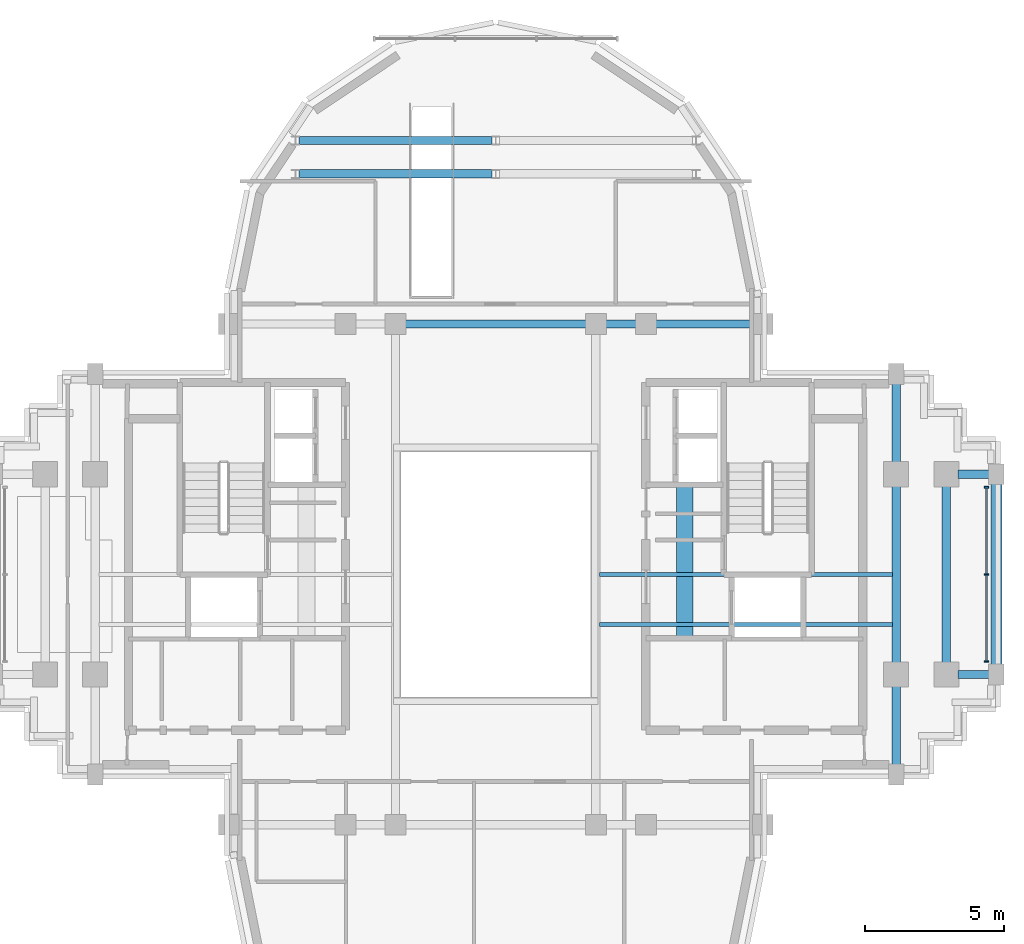
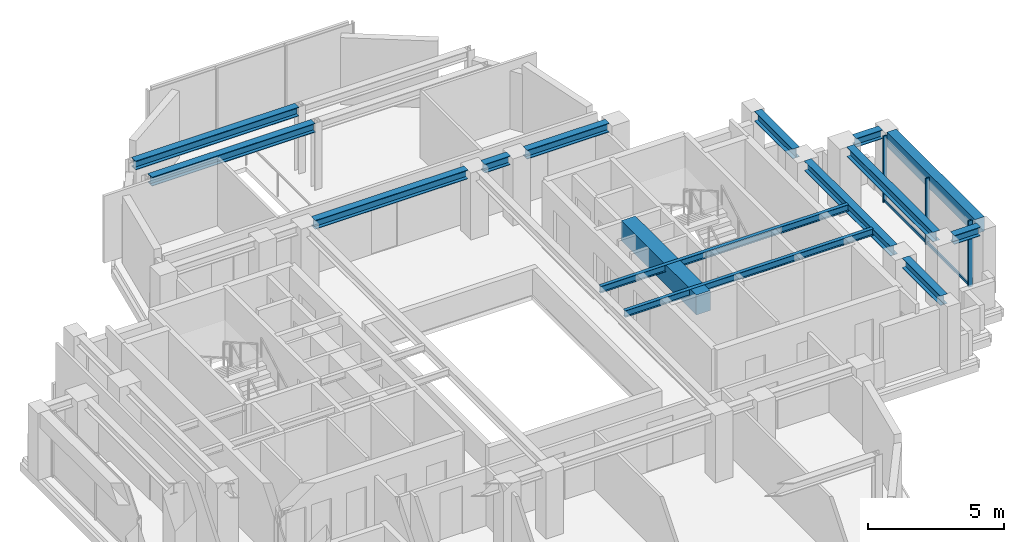
# One storey, part 5 of 12: 15 beams, 5 members, 1 element without a shape of its own.
"""IFC4 building model written with IfcOpenShell, lengths in metres."""

from ifc_helpers import new_model, si_unit, direction, frame, origin, origin_2d, place, context, subcontext, project, spatial, rectangle, i_section, extrude, source, transform, mapped, material, material_profile, profile_set, type_object, element, aggregate, save


model = new_model("IFC4")

# Units and contexts
model_context = context("Model", 3, precision=1e-05, world=origin(), true_north=direction((0.0, 1.0)))
body_context = subcontext(model_context, "Body", "Model", "MODEL_VIEW")
ifc_project = project(units=[si_unit("LENGTHUNIT", "METRE"), si_unit("AREAUNIT", "SQUARE_METRE"), si_unit("VOLUMEUNIT", "CUBIC_METRE"), si_unit("PLANEANGLEUNIT", "RADIAN"), si_unit("MASSUNIT", "GRAM", prefix="KILO")], contexts=[model_context])

# Site, building, storey
site_placement = place(None, origin())
site = spatial("IfcSite", under=ifc_project, at=site_placement, CompositionType="ELEMENT")
building_placement = place(site_placement, origin())
building = spatial("IfcBuilding", under=site, at=building_placement, Name="Keilestroom Media Tower", CompositionType="ELEMENT")
storey_placement = place(building_placement, frame((0.0, 0.0, 223.60009765625)))
storey = spatial("IfcBuildingStorey", under=building, at=storey_placement, Name="L61", CompositionType="ELEMENT", Elevation=223.60009765625)

# Beams
ifc_material_1 = material(Name="Concrete C70/85", Category="concrete")
ifc_material_profile_1 = material_profile(ifc_material_1, rectangle(XDim=0.60009765625, YDim=0.89990234375, at=origin_2d()), Name="RC 600x900")
ifc_profile_set_1 = profile_set([ifc_material_profile_1], Name="Concrete C70/85")
beam_type_1 = type_object("IfcBeamType", Name="Core-Coupling-Lintel-Beam-RC-600x900", PredefinedType="LINTEL", material=ifc_profile_set_1)
shared_shape_1 = source(origin(), body_context, "Body", "SweptSolid", [
    extrude(rectangle(XDim=0.60009765625, YDim=0.89990234375, at=origin_2d()), origin(), (0.0, 0.0, 1.0), 5.52001953125),
])
beam_1_placement = place(storey_placement, frame((6.800048828125, -2.300048828125, 2.559814453125), z_axis=(0.0, 1.0, 0.0), x_axis=(-1.0, 0.0, 0.0)))
element("IfcBeam", 1, at=beam_1_placement, inside=storey, type_object=beam_type_1, Name="L61 Beam CLB-1 CLB-L61-E", PredefinedType="LINTEL", context=body_context, shape_type="MappedRepresentation", body=[
    mapped(shared_shape_1, transform((0.0, 0.0, 0.0), x_axis=(1.0, 0.0, 0.0), y_axis=(0.0, 1.0, 0.0), z_axis=(0.0, 0.0, 1.0), scale=1.0)),
])
ifc_material_2 = material(Name="Steel S355", Category="steel")
ifc_material_profile_2 = material_profile(ifc_material_2, i_section(OverallWidth=0.300048828125, OverallDepth=0.39990234375, WebThickness=0.011474609375, FlangeThickness=0.02392578125, at=origin_2d()), Name="HEB 400")
ifc_profile_set_2 = profile_set([ifc_material_profile_2], Name="Steel S355")
beam_type_2 = type_object("IfcBeamType", Name="Primary-Structural-Girder-HEB-400", PredefinedType="BEAM", material=ifc_profile_set_2)
shared_shape_2 = source(origin(), body_context, "Body", "SweptSolid", [
    extrude(i_section(OverallWidth=0.300048828125, OverallDepth=0.39990234375, WebThickness=0.011474609375, FlangeThickness=0.02392578125, at=origin_2d()), origin(), (0.0, 0.0, 1.0), 6.940185546875),
])
for number, where, z_axis, x_axis, name in (
    (2, (-7.070068359375, 14.39990234375, 2.809814453125), (1.0, 0.0, 0.0), (0.0, 1.0, 0.0), "L61 Beam BG-8 BM-L61-EW-021"),
    (3, (-7.070068359375, 15.60009765625, 2.809814453125), (1.0, 0.0, 0.0), (0.0, 1.0, 0.0), "L61 Beam BG-8 BM-L61-EW-023"),
):
    element("IfcBeam", number, at=place(storey_placement, frame(where, z_axis=z_axis, x_axis=x_axis)), inside=storey, type_object=beam_type_2, Name=name, PredefinedType="BEAM", context=body_context, shape_type="MappedRepresentation", body=[
        mapped(shared_shape_2, transform((0.0, 0.0, 0.0), x_axis=(1.0, 0.0, 0.0), y_axis=(0.0, 1.0, 0.0), z_axis=(0.0, 0.0, 1.0), scale=1.0)),
    ])
shared_shape_3 = source(origin(), body_context, "Body", "SweptSolid", [
    extrude(i_section(OverallWidth=0.300048828125, OverallDepth=0.39990234375, WebThickness=0.011474609375, FlangeThickness=0.02392578125, at=origin_2d()), origin(), (0.0, 0.0, 1.0), 3.490234375),
])
beam_2_placement = place(storey_placement, frame((5.7548828125, 9.0, 2.809814453125), z_axis=(1.0, 0.0, 0.0), x_axis=(0.0, 1.0, 0.0)))
element("IfcBeam", 4, at=beam_2_placement, inside=storey, type_object=beam_type_2, Name="L61 Beam BG-8 BM-L61-EW-020", PredefinedType="BEAM", context=body_context, shape_type="MappedRepresentation", body=[
    mapped(shared_shape_3, transform((0.0, 0.0, 0.0), x_axis=(1.0, 0.0, 0.0), y_axis=(0.0, 1.0, 0.0), z_axis=(0.0, 0.0, 1.0), scale=1.0)),
])
shared_shape_4 = source(origin(), body_context, "Body", "SweptSolid", [
    extrude(i_section(OverallWidth=0.300048828125, OverallDepth=0.39990234375, WebThickness=0.011474609375, FlangeThickness=0.02392578125, at=origin_2d()), origin(), (0.0, 0.0, 1.0), 1.08984375),
])
beam_3_placement = place(storey_placement, frame((3.955078125, 9.0, 2.809814453125), z_axis=(1.0, 0.0, 0.0), x_axis=(0.0, 1.0, 0.0)))
element("IfcBeam", 5, at=beam_3_placement, inside=storey, type_object=beam_type_2, Name="L61 Beam BG-8 BM-L61-EW-019", PredefinedType="BEAM", context=body_context, shape_type="MappedRepresentation", body=[
    mapped(shared_shape_4, transform((0.0, 0.0, 0.0), x_axis=(1.0, 0.0, 0.0), y_axis=(0.0, 1.0, 0.0), z_axis=(0.0, 0.0, 1.0), scale=1.0)),
])
shared_shape_5 = source(origin(), body_context, "Body", "SweptSolid", [
    extrude(i_section(OverallWidth=0.300048828125, OverallDepth=0.39990234375, WebThickness=0.011474609375, FlangeThickness=0.02392578125, at=origin_2d()), origin(), (0.0, 0.0, 1.0), 6.490234375),
])
beam_4_placement = place(storey_placement, frame((-3.2451171875, 9.0, 2.809814453125), z_axis=(1.0, 0.0, 0.0), x_axis=(0.0, 1.0, 0.0)))
element("IfcBeam", 6, at=beam_4_placement, inside=storey, type_object=beam_type_2, Name="L61 Beam BG-8 BM-L61-EW-018", PredefinedType="BEAM", context=body_context, shape_type="MappedRepresentation", body=[
    mapped(shared_shape_5, transform((0.0, 0.0, 0.0), x_axis=(1.0, 0.0, 0.0), y_axis=(0.0, 1.0, 0.0), z_axis=(0.0, 0.0, 1.0), scale=1.0)),
])
shared_shape_6 = source(origin(), body_context, "Body", "SweptSolid", [
    extrude(i_section(OverallWidth=0.300048828125, OverallDepth=0.39990234375, WebThickness=0.011474609375, FlangeThickness=0.02392578125, at=origin_2d()), origin(), (0.0, 0.0, 1.0), 1.115234375),
])
for number, where, z_axis, x_axis, name in (
    (7, (16.6298828125, -3.60009765625, 2.809814453125), (1.0, 0.0, 0.0), (0.0, 1.0, 0.0), "L61 Beam BG-8 BM-L61-EW-011"),
    (8, (16.6298828125, 3.60009765625, 2.809814453125), (1.0, 0.0, 0.0), (0.0, 1.0, 0.0), "L61 Beam BG-8 BM-L61-EW-015"),
):
    element("IfcBeam", number, at=place(storey_placement, frame(where, z_axis=z_axis, x_axis=x_axis)), inside=storey, type_object=beam_type_2, Name=name, PredefinedType="BEAM", context=body_context, shape_type="MappedRepresentation", body=[
        mapped(shared_shape_6, transform((0.0, 0.0, 0.0), x_axis=(1.0, 0.0, 0.0), y_axis=(0.0, 1.0, 0.0), z_axis=(0.0, 0.0, 1.0), scale=1.0)),
    ])
ifc_material_3 = material(Name="Precast concrete C40/50", Category="concrete")
ifc_material_profile_3 = material_profile(ifc_material_3, rectangle(XDim=0.39990234375, YDim=0.64990234375, at=origin_2d()), Name="PC 400x650")
ifc_profile_set_3 = profile_set([ifc_material_profile_3], Name="Precast concrete C40/50")
beam_type_3 = type_object("IfcBeamType", Name="Perimeter-Spandrel-Beam-PC-400x650", PredefinedType="SPANDREL", material=ifc_profile_set_3)
shared_shape_7 = source(origin(), body_context, "Body", "SweptSolid", [
    extrude(rectangle(XDim=0.39990234375, YDim=0.64990234375, at=origin_2d()), origin(), (0.0, 0.0, 1.0), 6.490234375),
])
beam_5_placement = place(storey_placement, frame((18.0, -3.2451171875, 2.684814453125), z_axis=(0.0, 1.0, 0.0), x_axis=(-1.0, 0.0, 0.0)))
element("IfcBeam", 9, at=beam_5_placement, inside=storey, type_object=beam_type_3, Name="L61 Beam SPB-2 BM-L61-NS-044", PredefinedType="SPANDREL", context=body_context, shape_type="MappedRepresentation", body=[
    mapped(shared_shape_7, transform((0.0, 0.0, 0.0), x_axis=(1.0, 0.0, 0.0), y_axis=(0.0, 1.0, 0.0), z_axis=(0.0, 0.0, 1.0), scale=1.0)),
])
ifc_material_profile_4 = material_profile(ifc_material_2, i_section(OverallWidth=0.300048828125, OverallDepth=0.43994140625, WebThickness=0.011474609375, FlangeThickness=0.02099609375, at=origin_2d()), Name="HEA 450")
ifc_profile_set_4 = profile_set([ifc_material_profile_4], Name="Steel S355")
beam_type_4 = type_object("IfcBeamType", Name="Primary-Structural-Girder-HEA-450", PredefinedType="BEAM", material=ifc_profile_set_4)
shared_shape_8 = source(origin(), body_context, "Body", "SweptSolid", [
    extrude(i_section(OverallWidth=0.300048828125, OverallDepth=0.43994140625, WebThickness=0.011474609375, FlangeThickness=0.02099609375, at=origin_2d()), origin(), (0.0, 0.0, 1.0), 6.33984375),
])
for number, where, z_axis, x_axis, name in (
    (10, (14.39990234375, -3.169921875, 2.789794921875), (0.0, 1.0, 0.0), (-1.0, 0.0, 0.0), "L61 Beam BG-11 BM-L61-NS-041"),
    (11, (16.199951171875, -3.169921875, 2.789794921875), (0.0, 1.0, 0.0), (-1.0, 0.0, 0.0), "L61 Beam BG-11 BM-L61-NS-043"),
):
    element("IfcBeam", number, at=place(storey_placement, frame(where, z_axis=z_axis, x_axis=x_axis)), inside=storey, type_object=beam_type_4, Name=name, PredefinedType="BEAM", context=body_context, shape_type="MappedRepresentation", body=[
        mapped(shared_shape_8, transform((0.0, 0.0, 0.0), x_axis=(1.0, 0.0, 0.0), y_axis=(0.0, 1.0, 0.0), z_axis=(0.0, 0.0, 1.0), scale=1.0)),
    ])
shared_shape_9 = source(origin(), body_context, "Body", "SweptSolid", [
    extrude(i_section(OverallWidth=0.300048828125, OverallDepth=0.43994140625, WebThickness=0.011474609375, FlangeThickness=0.02099609375, at=origin_2d()), origin(), (0.0, 0.0, 1.0), 2.81494140625),
])
for number, where, z_axis, x_axis, name in (
    (12, (14.39990234375, -6.844970703125, 2.789794921875), (0.0, 1.0, 0.0), (-1.0, 0.0, 0.0), "L61 Beam BG-11 BM-L61-NS-040"),
    (13, (14.39990234375, 4.030029296875, 2.789794921875), (0.0, 1.0, 0.0), (-1.0, 0.0, 0.0), "L61 Beam BG-11 BM-L61-NS-042"),
):
    element("IfcBeam", number, at=place(storey_placement, frame(where, z_axis=z_axis, x_axis=x_axis)), inside=storey, type_object=beam_type_4, Name=name, PredefinedType="BEAM", context=body_context, shape_type="MappedRepresentation", body=[
        mapped(shared_shape_9, transform((0.0, 0.0, 0.0), x_axis=(1.0, 0.0, 0.0), y_axis=(0.0, 1.0, 0.0), z_axis=(0.0, 0.0, 1.0), scale=1.0)),
    ])
ifc_material_profile_5 = material_profile(ifc_material_2, i_section(OverallWidth=0.14990234375, OverallDepth=0.300048828125, WebThickness=0.007080078125, FlangeThickness=0.0107421875, at=origin_2d()), Name="IPE 300")
ifc_profile_set_5 = profile_set([ifc_material_profile_5], Name="Steel S355")
beam_type_5 = type_object("IfcBeamType", Name="Secondary-Floor-Joist-IPE-300", PredefinedType="JOIST", material=ifc_profile_set_5)
shared_shape_10 = source(origin(), body_context, "Body", "SweptSolid", [
    extrude(i_section(OverallWidth=0.14990234375, OverallDepth=0.300048828125, WebThickness=0.007080078125, FlangeThickness=0.0107421875, at=origin_2d()), origin(), (0.0, 0.0, 1.0), 10.5400390625),
])
for number, where, z_axis, x_axis, name in (
    (14, (3.72998046875, -1.800048828125, 2.85986328125), (1.0, 0.0, 0.0), (0.0, 1.0, 0.0), "L61 Beam BJ-7 JST-L61-047"),
    (15, (3.72998046875, 0.0, 2.85986328125), (1.0, 0.0, 0.0), (0.0, 1.0, 0.0), "L61 Beam BJ-7 JST-L61-050"),
):
    element("IfcBeam", number, at=place(storey_placement, frame(where, z_axis=z_axis, x_axis=x_axis)), inside=storey, type_object=beam_type_5, Name=name, PredefinedType="JOIST", context=body_context, shape_type="MappedRepresentation", body=[
        mapped(shared_shape_10, transform((0.0, 0.0, 0.0), x_axis=(1.0, 0.0, 0.0), y_axis=(0.0, 1.0, 0.0), z_axis=(0.0, 0.0, 1.0), scale=1.0)),
    ])

# Curtain wall, members
ifc_material_4 = material(Name="Anodised Aluminium Alloy", Category="aluminium")
curtain_wall_type = type_object("IfcCurtainWallType", Name="Unitised-Curtain-Wall-CW-4", PredefinedType="NOTDEFINED", material=ifc_material_4)
curtain_wall_placement = place(storey_placement, origin())
curtain_wall = element("IfcCurtainWall", 16, at=curtain_wall_placement, inside=storey, type_object=curtain_wall_type, Name="L61 Curtain Wall CW-4 CW-L61-E-1", PredefinedType="NOTDEFINED")
ifc_material_profile_6 = material_profile(ifc_material_4, rectangle(XDim=0.06005859375, YDim=0.159912109375, at=origin_2d()), Name="ALU MULLION 60x160")
ifc_profile_set_6 = profile_set([ifc_material_profile_6], Name="Anodised Aluminium Alloy")
member_type_1 = type_object("IfcMemberType", Name="Curtain-Wall-Mullion-CW-4", PredefinedType="MULLION", material=ifc_profile_set_6)
shared_shape_11 = source(origin(), body_context, "Body", "SweptSolid", [
    extrude(rectangle(XDim=0.06005859375, YDim=0.159912109375, at=origin_2d()), origin(), (0.0, 0.0, 1.0), 2.97998046875),
])
member_1_placement = place(storey_placement, frame((17.64990234375, -3.135009765625, 0.0), z_axis=(0.0, 0.0, 1.0), x_axis=(0.0, 1.0, 0.0)))
member_1 = element("IfcMember", 17, at=member_1_placement, type_object=member_type_1, Name="CW-4 Mullion 00", PredefinedType="MULLION", context=body_context, shape_type="MappedRepresentation", body=[
    mapped(shared_shape_11, transform((0.0, 0.0, 0.0), x_axis=(1.0, 0.0, 0.0), y_axis=(0.0, 1.0, 0.0), z_axis=(0.0, 0.0, 1.0), scale=1.0)),
])
member_2_placement = place(storey_placement, frame((17.64990234375, 0.0, 0.0), z_axis=(0.0, 0.0, 1.0), x_axis=(0.0, 1.0, 0.0)))
member_2 = element("IfcMember", 18, at=member_2_placement, type_object=member_type_1, Name="CW-4 Mullion 01", PredefinedType="MULLION", context=body_context, shape_type="MappedRepresentation", body=[
    mapped(shared_shape_11, transform((0.0, 0.0, 0.0), x_axis=(1.0, 0.0, 0.0), y_axis=(0.0, 1.0, 0.0), z_axis=(0.0, 0.0, 1.0), scale=1.0)),
])
member_3_placement = place(storey_placement, frame((17.64990234375, 3.135009765625, 0.0), z_axis=(0.0, 0.0, 1.0), x_axis=(0.0, 1.0, 0.0)))
member_3 = element("IfcMember", 19, at=member_3_placement, type_object=member_type_1, Name="CW-4 Mullion 02", PredefinedType="MULLION", context=body_context, shape_type="MappedRepresentation", body=[
    mapped(shared_shape_11, transform((0.0, 0.0, 0.0), x_axis=(1.0, 0.0, 0.0), y_axis=(0.0, 1.0, 0.0), z_axis=(0.0, 0.0, 1.0), scale=1.0)),
])
ifc_material_profile_7 = material_profile(ifc_material_4, rectangle(XDim=0.06005859375, YDim=0.1298828125, at=origin_2d()), Name="ALU TRANSOM 60x130")
ifc_profile_set_7 = profile_set([ifc_material_profile_7], Name="Anodised Aluminium Alloy")
member_type_2 = type_object("IfcMemberType", Name="Curtain-Wall-Transom-CW-4", PredefinedType="USERDEFINED", material=ifc_profile_set_7)
shared_shape_12 = source(origin(), body_context, "Body", "SweptSolid", [
    extrude(rectangle(XDim=0.06005859375, YDim=0.1298828125, at=origin_2d()), origin(), (0.0, 0.0, 1.0), 3.078857421875),
])
member_4_placement = place(storey_placement, frame((17.64990234375, -3.10693359375, 0.06494140625), z_axis=(0.0, 1.0, 0.0), x_axis=(-1.0, 0.0, 0.0)))
member_4 = element("IfcMember", 20, at=member_4_placement, type_object=member_type_2, Name="CW-4 Transom 00.1", ObjectType="TRANSOM", PredefinedType="USERDEFINED", context=body_context, shape_type="MappedRepresentation", body=[
    mapped(shared_shape_12, transform((0.0, 0.0, 0.0), x_axis=(1.0, 0.0, 0.0), y_axis=(0.0, 1.0, 0.0), z_axis=(0.0, 0.0, 1.0), scale=1.0)),
])
member_5_placement = place(storey_placement, frame((17.64990234375, 0.028076171875, 0.06494140625), z_axis=(0.0, 1.0, 0.0), x_axis=(-1.0, 0.0, 0.0)))
member_5 = element("IfcMember", 21, at=member_5_placement, type_object=member_type_2, Name="CW-4 Transom 01.1", ObjectType="TRANSOM", PredefinedType="USERDEFINED", context=body_context, shape_type="MappedRepresentation", body=[
    mapped(shared_shape_12, transform((0.0, 0.0, 0.0), x_axis=(1.0, 0.0, 0.0), y_axis=(0.0, 1.0, 0.0), z_axis=(0.0, 0.0, 1.0), scale=1.0)),
])
aggregate(curtain_wall, [member_1, member_2, member_3, member_4, member_5])

save(model, "model.ifc")
